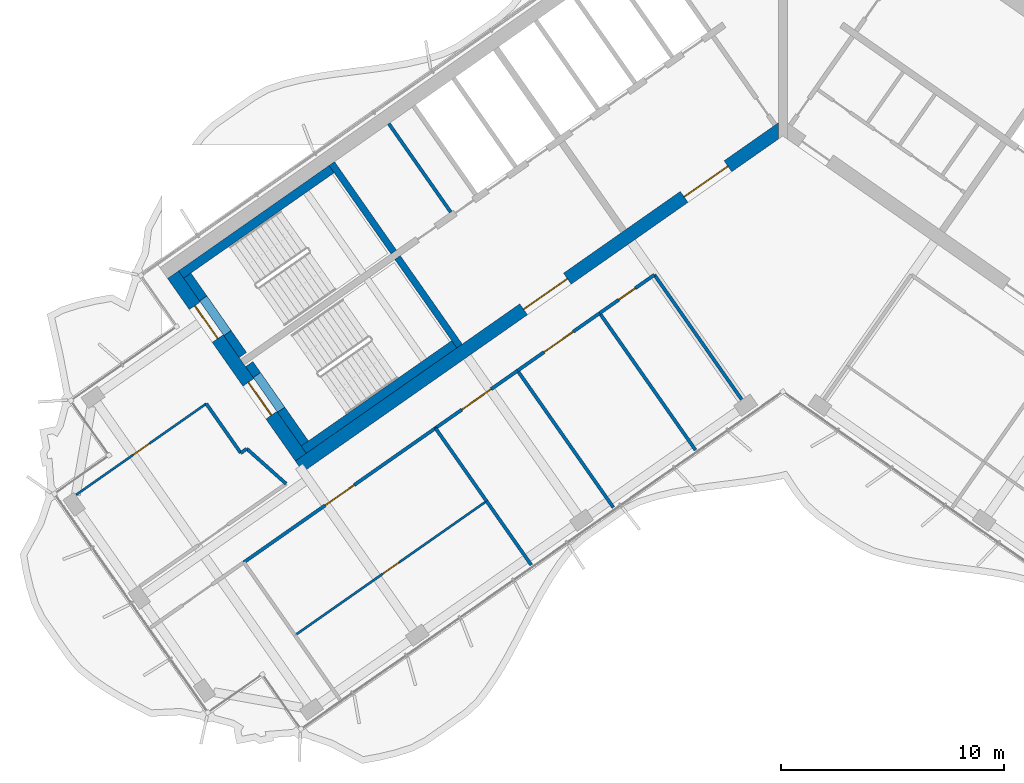
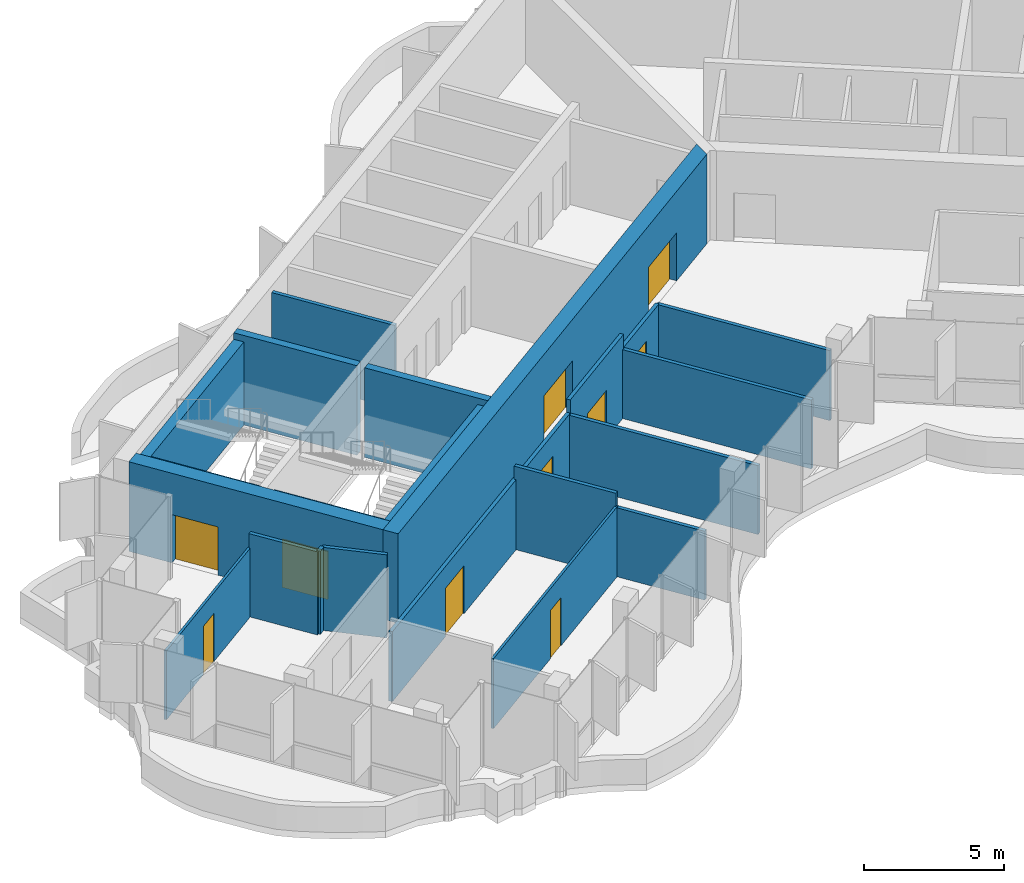
# One storey, part 11 of 20: 27 walls, 10 doors, 10 openings.
"""IFC4 building model written with IfcOpenShell, lengths in metres."""

from ifc_helpers import new_model, si_unit, direction, frame, frame_2d, origin, place, context, subcontext, project, spatial, polyline, rectangle, outline, extrude, material, layer, layer_set, type_object, element, fill, save


model = new_model("IFC4")

# Units and contexts
model_context = context("Model", 3, precision=1e-05, world=origin(), true_north=direction((0.0, 1.0)))
body_context = subcontext(model_context, "Body", "Model", "MODEL_VIEW")
ifc_project = project(units=[si_unit("LENGTHUNIT", "METRE"), si_unit("AREAUNIT", "SQUARE_METRE"), si_unit("VOLUMEUNIT", "CUBIC_METRE"), si_unit("PLANEANGLEUNIT", "RADIAN"), si_unit("MASSUNIT", "GRAM", prefix="KILO")], contexts=[model_context])

# Site, building, storey
site_placement = place(None, origin())
site = spatial("IfcSite", under=ifc_project, at=site_placement, CompositionType="ELEMENT")
building_placement = place(site_placement, origin())
building = spatial("IfcBuilding", under=site, at=building_placement, Name="Tel Ilan Convention Tower", CompositionType="ELEMENT")
storey_placement = place(building_placement, frame((0.0, 0.0, 229.300048828125)))
storey = spatial("IfcBuildingStorey", under=building, at=storey_placement, Name="L53", CompositionType="ELEMENT", Elevation=229.300048828125)

# Walls
ifc_material_1 = material(Name="Gypsum Plasterboard on Steel Stud", Category="steel")
ifc_layer_1 = layer(ifc_material_1, 0.14990234375)
ifc_layer_set_1 = layer_set([ifc_layer_1], Name="Core Room Partition Wall 150 mm EI 60")
wall_type_1 = type_object("IfcWallType", Name="Core Room Partition Wall 150 mm EI 60", PredefinedType="PARTITIONING", material=ifc_layer_set_1)
wall_1_placement = place(storey_placement, frame((-14.909423828125, -4.64111328125, 0.0), z_axis=(0.0, 0.0, 1.0), x_axis=(-0.573560315113, 0.819163332265, 0.0)))
element("IfcWall", 1, at=wall_1_placement, inside=storey, type_object=wall_type_1, Name="L53 core wall bank-W2-split", PredefinedType="PARTITIONING", context=body_context, shape_type="SweptSolid", body=[
    extrude(rectangle(XDim=4.849853515625, YDim=0.14990234375, at=frame_2d((2.4248046875, 0.0))), origin(), (0.0, 0.0, 1.0), 3.619873046875),
])
ifc_material_2 = material(Name="Concrete C40/50", Category="concrete")
ifc_layer_2 = layer(ifc_material_2, 0.300048828125)
ifc_layer_set_2 = layer_set([ifc_layer_2], Name="Core Shear Wall 300 mm C40/50")
wall_type_2 = type_object("IfcWallType", Name="Core Shear Wall 300 mm C40/50", PredefinedType="SHEAR", material=ifc_layer_set_2)
wall_2_placement = place(storey_placement, frame((-14.515380859375, -10.652099609375, 0.0), z_axis=(0.0, 0.0, 1.0), x_axis=(-0.573560315113, 0.819163332265, 0.0)))
element("IfcWall", 2, at=wall_2_placement, inside=storey, type_object=wall_type_2, Name="L53 core wall W-cross2-1", PredefinedType="SHEAR", context=body_context, shape_type="SweptSolid", body=[
    extrude(outline(polyline([(4.85009765625, 0.14990234375), (0.0, 0.14990234375), (0.0, -0.150146484375), (4.85009765625, -0.14990234375), (4.85009765625, 0.14990234375)])), origin(), (0.0, 0.0, 1.0), 3.89990234375),
])
wall_3_placement = place(storey_placement, frame((-17.46923828125, -6.433349609375, 0.0), z_axis=(0.0, 0.0, 1.0), x_axis=(-0.573594092424, 0.81913968109, 0.0)))
element("IfcWall", 3, at=wall_3_placement, inside=storey, type_object=wall_type_2, Name="L53 core wall W-cross2-2", PredefinedType="SHEAR", context=body_context, shape_type="SweptSolid", body=[
    extrude(outline(polyline([(4.849853515625, -0.150146484375), (4.849853515625, 0.14990234375), (0.0, 0.14990234375), (0.0, -0.14990234375), (4.849853515625, -0.150146484375)])), origin(), (0.0, 0.0, 1.0), 3.89990234375),
])

# Wall, openings, doors
ifc_material_3 = material(Name="Concrete C40/50", Category="concrete")
ifc_layer_3 = layer(ifc_material_3, 0.60009765625)
ifc_layer_set_3 = layer_set([ifc_layer_3], Name="Core Shear Wall 600 mm C40/50")
wall_type_3 = type_object("IfcWallType", Name="Core Shear Wall 600 mm C40/50", PredefinedType="SHEAR", material=ifc_layer_set_3)
wall_4_placement = place(storey_placement, frame((-0.02783203125, -0.8740234375, 0.0), z_axis=(0.0, 0.0, 1.0), x_axis=(-0.819150035022, -0.573579305871, 0.0)))
wall_4 = element("IfcWall", 4, at=wall_4_placement, inside=storey, type_object=wall_type_3, Name="L53 core wall W-front", PredefinedType="SHEAR", context=body_context, shape_type="SweptSolid", body=[
    extrude(outline(polyline([(26.475830078125, 0.2998046875), (0.420166015625, 0.300048828125), (0.000244140625, -0.300048828125), (26.475830078125, -0.300048828125), (26.475830078125, 0.2998046875)])), origin(), (0.0, 0.0, 1.0), 3.89990234375),
])
opening_1_placement = place(wall_4_placement, frame((2.975830078125, 0.0, 0.0)))
opening_1 = element("IfcOpeningElement", 5, at=opening_1_placement, cuts=wall_4, Name="Opening CD4206", PredefinedType="OPENING", context=body_context, shape_type="SweptSolid", body=[
    extrude(rectangle(XDim=2.39990234375, YDim=2.10009765625, at=frame_2d((1.199951171875, 1.050048828125))), frame((0.0, 0.31005859375, 0.0), z_axis=(0.0, -1.0, 0.0), x_axis=(1.0, 0.0, 0.0)), (0.0, 0.0, 1.0), 0.6201171875),
])
opening_2_placement = place(wall_4_placement, frame((11.77587890625, 0.0, 0.0)))
opening_2 = element("IfcOpeningElement", 6, at=opening_2_placement, cuts=wall_4, Name="Opening CD4207", PredefinedType="OPENING", context=body_context, shape_type="SweptSolid", body=[
    extrude(rectangle(XDim=2.39990234375, YDim=2.10009765625, at=frame_2d((1.199951171875, 1.050048828125))), frame((0.0, 0.31005859375, 0.0), z_axis=(0.0, -1.0, 0.0), x_axis=(1.0, 0.0, 0.0)), (0.0, 0.0, 1.0), 0.6201171875),
])
ifc_material_4 = material(Name="Glazed Aluminium Door Leaf", Category="aluminium")
door_type_1 = type_object("IfcDoorType", Name="Lobby Opening Door 2400 x 2100 FD60S", OperationType="NOTDEFINED", PredefinedType="DOOR", material=ifc_material_4)
door_1_placement = place(opening_1_placement, origin())
door_1 = element("IfcDoor", 7, at=door_1_placement, inside=storey, type_object=door_type_1, Name="Lift Lobby HR1-HR4 opening", OperationType="DOUBLE_DOOR_SINGLE_SWING", OverallHeight=2.10009765625, OverallWidth=2.39990234375, PredefinedType="DOOR", context=body_context, shape_type="SweptSolid", body=[
    extrude(rectangle(XDim=2.39990234375, YDim=2.10009765625, at=frame_2d((1.199951171875, 1.050048828125))), frame((0.0, 0.02490234375, 0.0), z_axis=(0.0, -1.0, 0.0), x_axis=(1.0, 0.0, 0.0)), (0.0, 0.0, 1.0), 0.050048828125),
])
fill(opening_1, door_1)
door_2_placement = place(opening_2_placement, origin())
door_2 = element("IfcDoor", 8, at=door_2_placement, inside=storey, type_object=door_type_1, Name="Lift Lobby HR5-HR6 opening", OperationType="DOUBLE_DOOR_SINGLE_SWING", OverallHeight=2.10009765625, OverallWidth=2.39990234375, PredefinedType="DOOR", context=body_context, shape_type="SweptSolid", body=[
    extrude(rectangle(XDim=2.39990234375, YDim=2.10009765625, at=frame_2d((1.199951171875, 1.050048828125))), frame((0.0, 0.02490234375, 0.0), z_axis=(0.0, -1.0, 0.0), x_axis=(1.0, 0.0, 0.0)), (0.0, 0.0, 1.0), 0.050048828125),
])
fill(opening_2, door_2)

wall_5_placement = place(storey_placement, frame((-21.641845703125, -15.64208984375, 0.0), z_axis=(0.0, 0.0, 1.0), x_axis=(-0.573586866468, 0.819144740944, 0.0)))
wall_5 = element("IfcWall", 9, at=wall_5_placement, inside=storey, type_object=wall_type_3, Name="L53 core wall W-end", PredefinedType="SHEAR", context=body_context, shape_type="SweptSolid", body=[
    extrude(outline(polyline([(0.0, 0.300048828125), (0.0, -0.2998046875), (10.0, -0.300048828125), (10.0, 0.300048828125), (0.0, 0.300048828125)])), origin(), (0.0, 0.0, 1.0), 3.89990234375),
])
opening_3_placement = place(wall_5_placement, frame((6.5, 0.0, 0.0)))
opening_3 = element("IfcOpeningElement", 10, at=opening_3_placement, cuts=wall_5, Name="Opening SD4201", PredefinedType="OPENING", context=body_context, shape_type="SweptSolid", body=[
    extrude(rectangle(XDim=1.800048828125, YDim=2.10009765625, at=frame_2d((0.89990234375, 1.050048828125))), frame((0.0, 0.31005859375, 0.0), z_axis=(0.0, -1.0, 0.0), x_axis=(1.0, 0.0, 0.0)), (0.0, 0.0, 1.0), 0.6201171875),
])
opening_4_placement = place(wall_5_placement, frame((2.300048828125, 0.0, 0.0)))
opening_4 = element("IfcOpeningElement", 11, at=opening_4_placement, cuts=wall_5, Name="Opening SD4202", PredefinedType="OPENING", context=body_context, shape_type="SweptSolid", body=[
    extrude(rectangle(XDim=1.800048828125, YDim=2.10009765625, at=frame_2d((0.89990234375, 1.050048828125))), frame((0.0, 0.31005859375, 0.0), z_axis=(0.0, -1.0, 0.0), x_axis=(1.0, 0.0, 0.0)), (0.0, 0.0, 1.0), 0.6201171875),
])
ifc_material_5 = material(Name="Galvanised Steel Door Leaf", Category="steel")
door_type_2 = type_object("IfcDoorType", Name="Stair Fire Door 1800 x 2100 FD60S", OperationType="NOTDEFINED", PredefinedType="DOOR", material=ifc_material_5)
door_3_placement = place(opening_3_placement, origin())
door_3 = element("IfcDoor", 12, at=door_3_placement, inside=storey, type_object=door_type_2, Name="Stair S1 door", OperationType="DOUBLE_DOOR_SINGLE_SWING", OverallHeight=2.10009765625, OverallWidth=1.800048828125, PredefinedType="DOOR", context=body_context, shape_type="SweptSolid", body=[
    extrude(rectangle(XDim=1.800048828125, YDim=2.10009765625, at=frame_2d((0.89990234375, 1.050048828125))), frame((0.0, 0.02490234375, 0.0), z_axis=(0.0, -1.0, 0.0), x_axis=(1.0, 0.0, 0.0)), (0.0, 0.0, 1.0), 0.050048828125),
])
fill(opening_3, door_3)
door_4_placement = place(opening_4_placement, origin())
door_4 = element("IfcDoor", 13, at=door_4_placement, inside=storey, type_object=door_type_2, Name="Stair S2 door", OperationType="DOUBLE_DOOR_SINGLE_SWING", OverallHeight=2.10009765625, OverallWidth=1.800048828125, PredefinedType="DOOR", context=body_context, shape_type="SweptSolid", body=[
    extrude(rectangle(XDim=1.800048828125, YDim=2.10009765625, at=frame_2d((0.89990234375, 1.050048828125))), frame((0.0, 0.02490234375, 0.0), z_axis=(0.0, -1.0, 0.0), x_axis=(1.0, 0.0, 0.0)), (0.0, 0.0, 1.0), 0.050048828125),
])
fill(opening_4, door_4)

# Wall, opening, door
ifc_material_6 = material(Name="Plasterboard on Steel Studs", Category="steel")
ifc_layer_4 = layer(ifc_material_6, 0.14990234375)
ifc_layer_set_4 = layer_set([ifc_layer_4], Name="Fire-rated Partition 150 EI 60")
wall_type_4 = type_object("IfcWallType", Name="Fire-rated Partition 150 EI 60", PredefinedType="PARTITIONING", material=ifc_layer_set_4)
wall_6_placement = place(storey_placement, frame((-5.766357421875, -7.455810546875, 0.0), z_axis=(0.0, 0.0, 1.0), x_axis=(-0.81915932427, -0.57356603932, 0.0)))
wall_6 = element("IfcWall", 14, at=wall_6_placement, inside=storey, type_object=wall_type_4, Name="Partition 008", PredefinedType="PARTITIONING", context=body_context, shape_type="SweptSolid", body=[
    extrude(rectangle(XDim=3.002197265625, YDim=0.14990234375, at=frame_2d((1.5009765625, 0.0))), origin(), (0.0, 0.0, 1.0), 3.050048828125),
])
opening_5_placement = place(wall_6_placement, frame((1.051025390625, 0.0, 0.0)))
opening_5 = element("IfcOpeningElement", 15, at=opening_5_placement, cuts=wall_6, Name="Opening L53-001", PredefinedType="OPENING", context=body_context, shape_type="SweptSolid", body=[
    extrude(rectangle(XDim=0.89990234375, YDim=2.10009765625, at=frame_2d((0.449951171875, 1.050048828125))), frame((0.0, 0.0849609375, 0.0), z_axis=(0.0, -1.0, 0.0), x_axis=(1.0, 0.0, 0.0)), (0.0, 0.0, 1.0), 0.169921875),
])
ifc_material_7 = material(Name="Timber Door Leaf in Steel Frame", Category="steel")
door_type_3 = type_object("IfcDoorType", Name="Room Fire Door 900x2100", OperationType="NOTDEFINED", PredefinedType="DOOR", material=ifc_material_7)
door_5_placement = place(opening_5_placement, origin())
door_5 = element("IfcDoor", 16, at=door_5_placement, inside=storey, type_object=door_type_3, Name="Door L53-001", OperationType="SINGLE_SWING_RIGHT", OverallHeight=2.10009765625, OverallWidth=0.89990234375, PredefinedType="DOOR", context=body_context, shape_type="SweptSolid", body=[
    extrude(rectangle(XDim=0.89990234375, YDim=2.10009765625, at=frame_2d((0.449951171875, 1.050048828125))), frame((0.0, 0.02490234375, 0.0), z_axis=(0.0, -1.0, 0.0), x_axis=(1.0, 0.0, 0.0)), (0.0, 0.0, 1.0), 0.050048828125),
])
fill(opening_5, door_5)

wall_7_placement = place(storey_placement, frame((-8.22216796875, -9.17529296875, 0.0), z_axis=(0.0, 0.0, 1.0), x_axis=(-0.819140235121, -0.573593301221, 0.0)))
wall_7 = element("IfcWall", 17, at=wall_7_placement, inside=storey, type_object=wall_type_4, Name="Partition 009", PredefinedType="PARTITIONING", context=body_context, shape_type="SweptSolid", body=[
    extrude(rectangle(XDim=4.504150390625, YDim=0.14990234375, at=frame_2d((2.251953125, 0.0))), origin(), (0.0, 0.0, 1.0), 3.619873046875),
])
opening_6_placement = place(wall_7_placement, frame((1.451904296875, 0.0, 0.0)))
opening_6 = element("IfcOpeningElement", 18, at=opening_6_placement, cuts=wall_7, Name="Opening L53-002", PredefinedType="OPENING", context=body_context, shape_type="SweptSolid", body=[
    extrude(rectangle(XDim=1.60009765625, YDim=2.10009765625, at=frame_2d((0.800048828125, 1.050048828125))), frame((0.0, 0.0849609375, 0.0), z_axis=(0.0, -1.0, 0.0), x_axis=(1.0, 0.0, 0.0)), (0.0, 0.0, 1.0), 0.169921875),
])
ifc_material_8 = material(Name="Timber Door Leaf in Steel Frame", Category="steel")
door_type_4 = type_object("IfcDoorType", Name="Tenant Suite Entrance Fire Door 1600x2100", OperationType="NOTDEFINED", PredefinedType="DOOR", material=ifc_material_8)
door_6_placement = place(opening_6_placement, origin())
door_6 = element("IfcDoor", 19, at=door_6_placement, inside=storey, type_object=door_type_4, Name="Door L53-002", OperationType="DOUBLE_DOOR_SINGLE_SWING", OverallHeight=2.10009765625, OverallWidth=1.60009765625, PredefinedType="DOOR", context=body_context, shape_type="SweptSolid", body=[
    extrude(rectangle(XDim=1.60009765625, YDim=2.10009765625, at=frame_2d((0.800048828125, 1.050048828125))), frame((0.0, 0.02490234375, 0.0), z_axis=(0.0, -1.0, 0.0), x_axis=(1.0, 0.0, 0.0)), (0.0, 0.0, 1.0), 0.050048828125),
])
fill(opening_6, door_6)

wall_8_placement = place(storey_placement, frame((-11.908447265625, -11.756591796875, 0.0), z_axis=(0.0, 0.0, 1.0), x_axis=(-0.819165703328, -0.573556928727, 0.0)))
wall_8 = element("IfcWall", 20, at=wall_8_placement, inside=storey, type_object=wall_type_4, Name="Partition 010", PredefinedType="PARTITIONING", context=body_context, shape_type="SweptSolid", body=[
    extrude(rectangle(XDim=4.50390625, YDim=0.14990234375, at=frame_2d((2.251953125, 0.0))), origin(), (0.0, 0.0, 1.0), 3.050048828125),
])
opening_7_placement = place(wall_8_placement, frame((1.451904296875, 0.0, 0.0)))
opening_7 = element("IfcOpeningElement", 21, at=opening_7_placement, cuts=wall_8, Name="Opening L53-003", PredefinedType="OPENING", context=body_context, shape_type="SweptSolid", body=[
    extrude(rectangle(XDim=1.60009765625, YDim=2.10009765625, at=frame_2d((0.800048828125, 1.050048828125))), frame((0.0, 0.0849609375, 0.0), z_axis=(0.0, -1.0, 0.0), x_axis=(1.0, 0.0, 0.0)), (0.0, 0.0, 1.0), 0.169921875),
])
door_7_placement = place(opening_7_placement, origin())
door_7 = element("IfcDoor", 22, at=door_7_placement, inside=storey, type_object=door_type_4, Name="Door L53-003", OperationType="DOUBLE_DOOR_SINGLE_SWING", OverallHeight=2.10009765625, OverallWidth=1.60009765625, PredefinedType="DOOR", context=body_context, shape_type="SweptSolid", body=[
    extrude(rectangle(XDim=1.60009765625, YDim=2.10009765625, at=frame_2d((0.800048828125, 1.050048828125))), frame((0.0, 0.02490234375, 0.0), z_axis=(0.0, -1.0, 0.0), x_axis=(1.0, 0.0, 0.0)), (0.0, 0.0, 1.0), 0.050048828125),
])
fill(opening_7, door_7)

wall_9_placement = place(storey_placement, frame((-15.594482421875, -14.337646484375, 0.0), z_axis=(0.0, 0.0, 1.0), x_axis=(-0.819164214721, -0.57355905478, 0.0)))
wall_9 = element("IfcWall", 23, at=wall_9_placement, inside=storey, type_object=wall_type_4, Name="Partition 011", PredefinedType="PARTITIONING", context=body_context, shape_type="SweptSolid", body=[
    extrude(rectangle(XDim=10.50390625, YDim=0.14990234375, at=frame_2d((5.251953125, 0.0))), origin(), (0.0, 0.0, 1.0), 3.050048828125),
])
opening_8_placement = place(wall_9_placement, frame((4.451904296875, 0.0, 0.0)))
opening_8 = element("IfcOpeningElement", 24, at=opening_8_placement, cuts=wall_9, Name="Opening L53-004", PredefinedType="OPENING", context=body_context, shape_type="SweptSolid", body=[
    extrude(rectangle(XDim=1.60009765625, YDim=2.10009765625, at=frame_2d((0.800048828125, 1.050048828125))), frame((0.0, 0.0849609375, 0.0), z_axis=(0.0, -1.0, 0.0), x_axis=(1.0, 0.0, 0.0)), (0.0, 0.0, 1.0), 0.169921875),
])
door_8_placement = place(opening_8_placement, origin())
door_8 = element("IfcDoor", 25, at=door_8_placement, inside=storey, type_object=door_type_4, Name="Door L53-004", OperationType="DOUBLE_DOOR_SINGLE_SWING", OverallHeight=2.10009765625, OverallWidth=1.60009765625, PredefinedType="DOOR", context=body_context, shape_type="SweptSolid", body=[
    extrude(rectangle(XDim=1.60009765625, YDim=2.10009765625, at=frame_2d((0.800048828125, 1.050048828125))), frame((0.0, 0.02490234375, 0.0), z_axis=(0.0, -1.0, 0.0), x_axis=(1.0, 0.0, 0.0)), (0.0, 0.0, 1.0), 0.050048828125),
])
fill(opening_8, door_8)

# Walls
wall_10_placement = place(storey_placement, frame((-1.848876953125, -13.050537109375, 0.0), z_axis=(0.0, 0.0, 1.0), x_axis=(-0.57357985571, 0.819149650018, 0.0)))
element("IfcWall", 26, at=wall_10_placement, inside=storey, type_object=wall_type_4, Name="Partition 025", PredefinedType="PARTITIONING", context=body_context, shape_type="SweptSolid", body=[
    extrude(rectangle(XDim=6.83203125, YDim=0.14990234375, at=frame_2d((3.416015625, 0.0))), origin(), (0.0, 0.0, 1.0), 3.050048828125),
])
wall_11_placement = place(storey_placement, frame((-24.337158203125, -15.4541015625, 0.0), z_axis=(0.0, 0.0, 1.0), x_axis=(-0.573571492575, 0.819155505936, 0.0)))
element("IfcWall", 27, at=wall_11_placement, inside=storey, type_object=wall_type_4, Name="Partition 026", PredefinedType="PARTITIONING", context=body_context, shape_type="SweptSolid", body=[
    extrude(rectangle(XDim=2.701904296875, YDim=0.14990234375, at=frame_2d((1.35107421875, 0.0))), origin(), (0.0, 0.0, 1.0), 3.619873046875),
])
wall_12_placement = place(storey_placement, frame((-22.2998046875, -16.83740234375, 0.0), z_axis=(0.0, 0.0, 1.0), x_axis=(-0.746942190663, 0.664888986078, 0.0)))
element("IfcWall", 28, at=wall_12_placement, inside=storey, type_object=wall_type_4, Name="Partition 027", PredefinedType="PARTITIONING", context=body_context, shape_type="SweptSolid", body=[
    extrude(rectangle(XDim=2.365478515625, YDim=0.14990234375, at=frame_2d((1.1826171875, 0.0))), origin(), (0.0, 0.0, 1.0), 3.619873046875),
])
wall_13_placement = place(storey_placement, frame((-24.066650390625, -15.2646484375, 0.0), z_axis=(0.0, 0.0, 1.0), x_axis=(-0.819092976344, -0.573660784876, 0.0)))
element("IfcWall", 29, at=wall_13_placement, inside=storey, type_object=wall_type_4, Name="Partition 028", PredefinedType="PARTITIONING", context=body_context, shape_type="SweptSolid", body=[
    extrude(rectangle(XDim=0.330322265625, YDim=0.14990234375, at=frame_2d((0.1650390625, 0.0))), origin(), (0.0, 0.0, 1.0), 3.619873046875),
])
for number, where, z_axis, x_axis, name in (
    (30, (-3.922119140625, -15.3203125, 0.0), (0.0, 0.0, 1.0), (-0.573560650686, 0.819163097304, 0.0), "Partition 030"),
    (31, (-7.608154296875, -17.9013671875, 0.0), (0.0, 0.0, 1.0), (-0.573560650686, 0.819163097304, 0.0), "Partition 031"),
):
    element("IfcWall", number, at=place(storey_placement, frame(where, z_axis=z_axis, x_axis=x_axis)), inside=storey, type_object=wall_type_4, Name=name, PredefinedType="PARTITIONING", context=body_context, shape_type="SweptSolid", body=[
        extrude(rectangle(XDim=7.5, YDim=0.14990234375, at=frame_2d((3.75, 0.0))), origin(), (0.0, 0.0, 1.0), 3.0),
    ])
wall_14_placement = place(storey_placement, frame((-11.29443359375, -20.482421875, 0.0), z_axis=(0.0, 0.0, 1.0), x_axis=(-0.573560622794, 0.819163116834, 0.0)))
element("IfcWall", 32, at=wall_14_placement, inside=storey, type_object=wall_type_4, Name="Partition 032", PredefinedType="PARTITIONING", context=body_context, shape_type="SweptSolid", body=[
    extrude(rectangle(XDim=3.5009765625, YDim=0.14990234375, at=frame_2d((1.75048828125, 0.0))), origin(), (0.0, 0.0, 1.0), 3.0),
])
wall_15_placement = place(storey_placement, frame((-13.30078125, -17.616943359375, 0.0), z_axis=(0.0, 0.0, 1.0), x_axis=(-0.573560601885, 0.819163131473, 0.0)))
element("IfcWall", 33, at=wall_15_placement, inside=storey, type_object=wall_type_4, Name="Partition 033", PredefinedType="PARTITIONING", context=body_context, shape_type="SweptSolid", body=[
    extrude(rectangle(XDim=4.001953125, YDim=0.14990234375, at=frame_2d((2.0009765625, 0.0))), origin(), (0.0, 0.0, 1.0), 3.619873046875),
])

# Wall, opening, door
ifc_material_9 = material(Name="Plasterboard on Steel Studs", Category="steel")
ifc_layer_5 = layer(ifc_material_9, 0.10009765625)
ifc_layer_set_5 = layer_set([ifc_layer_5], Name="Plasterboard Partition 100")
wall_type_5 = type_object("IfcWallType", Name="Plasterboard Partition 100", PredefinedType="PARTITIONING", material=ifc_layer_set_5)
wall_16_placement = place(storey_placement, frame((-31.72705078125, -17.331298828125, 0.0), z_axis=(0.0, 0.0, 1.0), x_axis=(0.819140241507, 0.573593292101, 0.0)))
wall_16 = element("IfcWall", 34, at=wall_16_placement, inside=storey, type_object=wall_type_5, Name="Partition 029", PredefinedType="PARTITIONING", context=body_context, shape_type="SweptSolid", body=[
    extrude(rectangle(XDim=7.1318359375, YDim=0.10009765625, at=frame_2d((3.56591796875, 0.0))), origin(), (0.0, 0.0, 1.0), 3.0),
])
opening_9_placement = place(wall_16_placement, frame((3.115966796875, 0.0, 0.0)))
opening_9 = element("IfcOpeningElement", 35, at=opening_9_placement, cuts=wall_16, Name="Opening L53-008", PredefinedType="OPENING", context=body_context, shape_type="SweptSolid", body=[
    extrude(rectangle(XDim=0.89990234375, YDim=2.10009765625, at=frame_2d((0.449951171875, 1.050048828125))), frame((0.0, 0.06005859375, 0.0), z_axis=(0.0, -1.0, 0.0), x_axis=(1.0, 0.0, 0.0)), (0.0, 0.0, 1.0), 0.1201171875),
])
ifc_material_10 = material(Name="Timber Door Leaf in Steel Frame", Category="steel")
door_type_5 = type_object("IfcDoorType", Name="Room Timber Door 900x2100", OperationType="NOTDEFINED", PredefinedType="DOOR", material=ifc_material_10)
door_9_placement = place(opening_9_placement, origin())
door_9 = element("IfcDoor", 36, at=door_9_placement, inside=storey, type_object=door_type_5, Name="Door L53-008", OperationType="SINGLE_SWING_RIGHT", OverallHeight=2.10009765625, OverallWidth=0.89990234375, PredefinedType="DOOR", context=body_context, shape_type="SweptSolid", body=[
    extrude(rectangle(XDim=0.89990234375, YDim=2.10009765625, at=frame_2d((0.449951171875, 1.050048828125))), frame((0.0, 0.02490234375, 0.0), z_axis=(0.0, -1.0, 0.0), x_axis=(1.0, 0.0, 0.0)), (0.0, 0.0, 1.0), 0.050048828125),
])
fill(opening_9, door_9)

wall_17_placement = place(storey_placement, frame((-13.30126953125, -17.6162109375, 0.0), z_axis=(0.0, 0.0, 1.0), x_axis=(-0.819155448096, -0.573571575181, 0.0)))
wall_17 = element("IfcWall", 37, at=wall_17_placement, inside=storey, type_object=wall_type_5, Name="Partition 034", PredefinedType="PARTITIONING", context=body_context, shape_type="SweptSolid", body=[
    extrude(rectangle(XDim=10.5, YDim=0.10009765625, at=frame_2d((5.25, 0.0))), origin(), (0.0, 0.0, 1.0), 3.050048828125),
])
opening_10_placement = place(wall_17_placement, frame((4.800048828125, 0.0, 0.0)))
opening_10 = element("IfcOpeningElement", 38, at=opening_10_placement, cuts=wall_17, Name="Opening L53-005", PredefinedType="OPENING", context=body_context, shape_type="SweptSolid", body=[
    extrude(rectangle(XDim=0.89990234375, YDim=2.10009765625, at=frame_2d((0.449951171875, 1.050048828125))), frame((0.0, 0.06005859375, 0.0), z_axis=(0.0, -1.0, 0.0), x_axis=(1.0, 0.0, 0.0)), (0.0, 0.0, 1.0), 0.1201171875),
])
door_10_placement = place(opening_10_placement, origin())
door_10 = element("IfcDoor", 39, at=door_10_placement, inside=storey, type_object=door_type_5, Name="Door L53-005", OperationType="SINGLE_SWING_LEFT", OverallHeight=2.10009765625, OverallWidth=0.89990234375, PredefinedType="DOOR", context=body_context, shape_type="SweptSolid", body=[
    extrude(rectangle(XDim=0.89990234375, YDim=2.10009765625, at=frame_2d((0.449951171875, 1.050048828125))), frame((0.0, 0.02490234375, 0.0), z_axis=(0.0, -1.0, 0.0), x_axis=(1.0, 0.0, 0.0)), (0.0, 0.0, 1.0), 0.050048828125),
])
fill(opening_10, door_10)

# Walls
ifc_material_11 = material(Name="Concrete C30/37", Category="concrete")
ifc_layer_6 = layer(ifc_material_11, 0.39990234375)
ifc_layer_set_6 = layer_set([ifc_layer_6], Name="Stair and Shaft Lining Wall 400 mm C30/37")
wall_type_6 = type_object("IfcWallType", Name="Stair and Shaft Lining Wall 400 mm C30/37", PredefinedType="SOLIDWALL", material=ifc_layer_set_6)
wall_18_placement = place(storey_placement, frame((-20.25927734375, -2.71044921875, 0.0), z_axis=(0.0, 0.0, 1.0), x_axis=(-0.81914849389, -0.573581506813, 0.0)))
element("IfcWall", 40, at=wall_18_placement, inside=storey, type_object=wall_type_6, Name="L53 core wall lining-S1-t1", PredefinedType="SOLIDWALL", context=body_context, shape_type="SweptSolid", body=[
    extrude(rectangle(XDim=8.249755859375, YDim=0.39990234375, at=frame_2d((4.125, 0.0))), origin(), (0.0, 0.0, 1.0), 3.619873046875),
])
wall_19_placement = place(storey_placement, frame((-24.24365234375, -11.0546875, 0.0), z_axis=(0.0, 0.0, 1.0), x_axis=(-0.573571582932, 0.819155442668, 0.0)))
element("IfcWall", 41, at=wall_19_placement, inside=storey, type_object=wall_type_6, Name="L53 core wall lining-S1-u1-0", PredefinedType="SOLIDWALL", context=body_context, shape_type="SweptSolid", body=[
    extrude(rectangle(XDim=1.199951171875, YDim=0.39990234375, at=frame_2d((0.60009765625, 0.0))), origin(), (0.0, 0.0, 1.0), 3.619873046875),
])
wall_20_placement = place(storey_placement, frame((-26.021728515625, -8.515380859375, 0.0), z_axis=(0.0, 0.0, 1.0), x_axis=(-0.573619628835, 0.819121798889, 0.0)))
element("IfcWall", 42, at=wall_20_placement, inside=storey, type_object=wall_type_6, Name="L53 core wall lining-S1-u1-1", PredefinedType="SOLIDWALL", context=body_context, shape_type="SweptSolid", body=[
    extrude(rectangle(XDim=1.25, YDim=0.39990234375, at=frame_2d((0.625, 0.0))), origin(), (0.0, 0.0, 1.0), 3.619873046875),
])
wall_21_placement = place(storey_placement, frame((-24.931884765625, -10.07177734375, 2.14990234375), z_axis=(0.0, 0.0, 1.0), x_axis=(-0.573591692345, 0.819141361715, 0.0)))
element("IfcWall", 43, at=wall_21_placement, inside=storey, type_object=wall_type_6, Name="L53 core wall lining-S1-u1-lintel", PredefinedType="SOLIDWALL", context=body_context, shape_type="SweptSolid", body=[
    extrude(rectangle(XDim=1.900146484375, YDim=0.39990234375, at=frame_2d((0.9501953125, 0.0))), origin(), (0.0, 0.0, 1.0), 1.469970703125),
])
wall_22_placement = place(storey_placement, frame((-14.7529296875, -10.57421875, 0.0), z_axis=(0.0, 0.0, 1.0), x_axis=(-0.819158229677, -0.573567602601, 0.0)))
element("IfcWall", 44, at=wall_22_placement, inside=storey, type_object=wall_type_6, Name="L53 core wall lining-S2-t0", PredefinedType="SOLIDWALL", context=body_context, shape_type="SweptSolid", body=[
    extrude(rectangle(XDim=8.25, YDim=0.39990234375, at=frame_2d((4.125, 0.0))), origin(), (0.0, 0.0, 1.0), 3.619873046875),
])
wall_23_placement = place(storey_placement, frame((-21.4619140625, -15.027587890625, 0.0), z_axis=(0.0, 0.0, 1.0), x_axis=(-0.573559770908, 0.819163713305, 0.0)))
element("IfcWall", 45, at=wall_23_placement, inside=storey, type_object=wall_type_6, Name="L53 core wall lining-S2-u1-0", PredefinedType="SOLIDWALL", context=body_context, shape_type="SweptSolid", body=[
    extrude(rectangle(XDim=1.849853515625, YDim=0.39990234375, at=frame_2d((0.9248046875, 0.0))), origin(), (0.0, 0.0, 1.0), 3.619873046875),
])
wall_24_placement = place(storey_placement, frame((-23.61279296875, -11.955810546875, 0.0), z_axis=(0.0, 0.0, 1.0), x_axis=(-0.573435029941, 0.819251039936, 0.0)))
element("IfcWall", 46, at=wall_24_placement, inside=storey, type_object=wall_type_6, Name="L53 core wall lining-S2-u1-1", PredefinedType="SOLIDWALL", context=body_context, shape_type="SweptSolid", body=[
    extrude(rectangle(XDim=0.599853515625, YDim=0.39990234375, at=frame_2d((0.2998046875, 0.0))), origin(), (0.0, 0.0, 1.0), 3.619873046875),
])
wall_25_placement = place(storey_placement, frame((-22.52294921875, -13.51220703125, 2.14990234375), z_axis=(0.0, 0.0, 1.0), x_axis=(-0.573591692345, 0.819141361715, 0.0)))
element("IfcWall", 47, at=wall_25_placement, inside=storey, type_object=wall_type_6, Name="L53 core wall lining-S2-u1-lintel", PredefinedType="SOLIDWALL", context=body_context, shape_type="SweptSolid", body=[
    extrude(rectangle(XDim=1.900146484375, YDim=0.39990234375, at=frame_2d((0.9501953125, 0.0))), origin(), (0.0, 0.0, 1.0), 1.469970703125),
])

save(model, "model.ifc")
